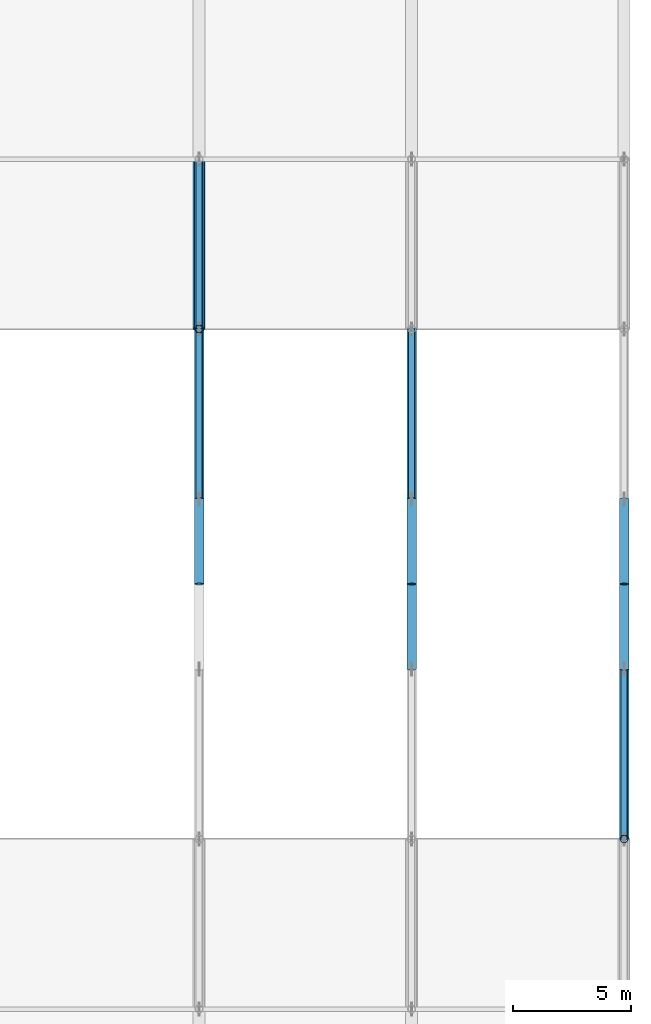
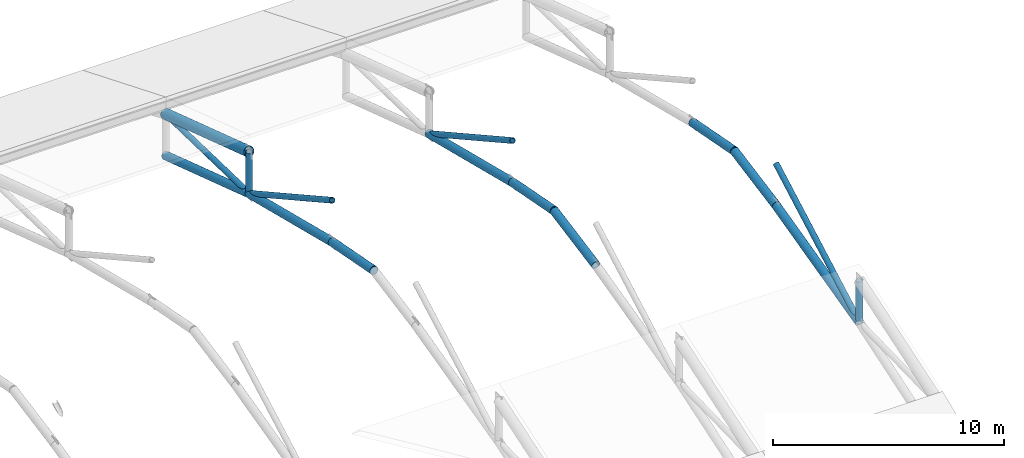
# One storey, part 52 of 78: 16 members.
"""IFC4 building model written with IfcOpenShell, lengths in metres."""

from ifc_helpers import new_model, si_unit, direction, frame, origin, origin_2d, place, context, subcontext, project, spatial, hollow_circle, extrude, material, material_profile, profile_set, type_object, element, save


model = new_model("IFC4")

# Units and contexts
model_context = context("Model", 3, precision=1e-05, world=origin(), true_north=direction((0.0, 1.0)))
body_context = subcontext(model_context, "Body", "Model", "MODEL_VIEW")
ifc_project = project(units=[si_unit("LENGTHUNIT", "METRE"), si_unit("AREAUNIT", "SQUARE_METRE"), si_unit("VOLUMEUNIT", "CUBIC_METRE"), si_unit("PLANEANGLEUNIT", "RADIAN"), si_unit("MASSUNIT", "GRAM", prefix="KILO")], contexts=[model_context])

# Site, building, storey
site_placement = place(None, origin())
site = spatial("IfcSite", under=ifc_project, at=site_placement, CompositionType="ELEMENT")
building_placement = place(site_placement, origin())
building = spatial("IfcBuilding", under=site, at=building_placement, Name="Celestram Park Convention Centre", CompositionType="ELEMENT")
storey_placement = place(building_placement, frame((0.0, 0.0, 19.800048828125)))
storey = spatial("IfcBuildingStorey", under=building, at=storey_placement, Name="L04", CompositionType="ELEMENT", Elevation=19.800048828125)

# Members
ifc_material = material(Name="Steel ASTM A500 Grade C", Category="steel")
ifc_material_profile_1 = material_profile(ifc_material, hollow_circle(Radius=0.136474609375, WallThickness=0.010009765625, at=origin_2d()), Name="CHS273X10")
ifc_profile_set_1 = profile_set([ifc_material_profile_1], Name="Steel ASTM A500 Grade C")
member_type_1 = type_object("IfcMemberType", Name="STR-BRC-CHS273", PredefinedType="BRACE", material=ifc_profile_set_1)
member_1_placement = place(storey_placement, frame((198.0, 144.0, 6.2294921875), z_axis=(0.0, 0.874218793516, -0.485532183344), x_axis=(-1.0, 0.0, 0.0)))
element("IfcMember", 1, at=member_1_placement, inside=storey, type_object=member_type_1, Name="V2 arch web diagonal", PredefinedType="BRACE", context=body_context, shape_type="SweptSolid", body=[
    extrude(hollow_circle(Radius=0.136474609375, WallThickness=0.010009765625, at=origin_2d()), origin(), (0.0, 0.0, 1.0), 8.23583984375),
])
member_2_placement = place(storey_placement, frame((198.0, 151.199951171875, 2.230712890625), z_axis=(0.0, 0.999715192935, -0.023864890842), x_axis=(-1.0, 0.0, 0.0)))
element("IfcMember", 2, at=member_2_placement, inside=storey, type_object=member_type_1, Name="V2 arch web diagonal", PredefinedType="BRACE", context=body_context, shape_type="SweptSolid", body=[
    extrude(hollow_circle(Radius=0.136474609375, WallThickness=0.010009765625, at=origin_2d()), origin(), (0.0, 0.0, 1.0), 7.201904296875),
])
for number, where, z_axis, x_axis, name in (
    (3, (207.0, 144.0, 6.2294921875), (0.0, 0.874218793516, -0.485532183344), (-1.0, 0.0, 0.0), "V2 arch web diagonal"),
    (4, (216.0, 129.60009765625, 2.230712890625), (0.0, 0.874218793516, 0.485532183344), (-1.0, 0.0, 0.0), "V2 arch web diagonal"),
):
    element("IfcMember", number, at=place(storey_placement, frame(where, z_axis=z_axis, x_axis=x_axis)), inside=storey, type_object=member_type_1, Name=name, PredefinedType="BRACE", context=body_context, shape_type="SweptSolid", body=[
        extrude(hollow_circle(Radius=0.136474609375, WallThickness=0.010009765625, at=origin_2d()), origin(), (0.0, 0.0, 1.0), 8.23583984375),
    ])
ifc_material_profile_2 = material_profile(ifc_material, hollow_circle(Radius=0.202880859375, WallThickness=0.013916015625, at=origin_2d()), Name="CHS406X14")
ifc_profile_set_2 = profile_set([ifc_material_profile_2], Name="Steel ASTM A500 Grade C")
member_type_2 = type_object("IfcMemberType", Name="STR-CHD-CHS406", PredefinedType="CHORD", material=ifc_profile_set_2)
member_3_placement = place(storey_placement, frame((198.0, 140.39990234375, 4.7138671875), z_axis=(0.0, 0.982409054746, -0.186741664211), x_axis=(-1.0, 0.0, 0.0)))
element("IfcMember", 5, at=member_3_placement, inside=storey, type_object=member_type_2, Name="V2 arch bottom chord", PredefinedType="CHORD", context=body_context, shape_type="SweptSolid", body=[
    extrude(hollow_circle(Radius=0.202880859375, WallThickness=0.013916015625, at=origin_2d()), origin(), (0.0, 0.0, 1.0), 3.66455078125),
])
member_4_placement = place(storey_placement, frame((198.0, 144.0, 4.029541015625), z_axis=(0.0, 0.970179256757, -0.242388551212), x_axis=(-1.0, 0.0, 0.0)))
element("IfcMember", 6, at=member_4_placement, inside=storey, type_object=member_type_2, Name="V2 arch bottom chord", PredefinedType="CHORD", context=body_context, shape_type="SweptSolid", body=[
    extrude(hollow_circle(Radius=0.202880859375, WallThickness=0.013916015625, at=origin_2d()), origin(), (0.0, 0.0, 1.0), 7.421142578125),
])
member_5_placement = place(storey_placement, frame((198.0, 151.199951171875, 2.230712890625), z_axis=(0.0, 0.949791740943, -0.312882803678), x_axis=(-1.0, 0.0, 0.0)))
element("IfcMember", 7, at=member_5_placement, inside=storey, type_object=member_type_2, Name="V2 arch bottom chord", PredefinedType="CHORD", context=body_context, shape_type="SweptSolid", body=[
    extrude(hollow_circle(Radius=0.202880859375, WallThickness=0.013916015625, at=origin_2d()), origin(), (0.0, 0.0, 1.0), 7.58056640625),
])
member_6_placement = place(storey_placement, frame((207.0, 136.800048828125, 4.029541015625), z_axis=(0.0, 0.982406731244, 0.186753887262), x_axis=(-1.0, 0.0, 0.0)))
element("IfcMember", 8, at=member_6_placement, inside=storey, type_object=member_type_2, Name="V2 arch bottom chord", PredefinedType="CHORD", context=body_context, shape_type="SweptSolid", body=[
    extrude(hollow_circle(Radius=0.202880859375, WallThickness=0.013916015625, at=origin_2d()), origin(), (0.0, 0.0, 1.0), 3.664306640625),
])
member_7_placement = place(storey_placement, frame((207.0, 140.39990234375, 4.7138671875), z_axis=(0.0, 0.982409054746, -0.186741664211), x_axis=(-1.0, 0.0, 0.0)))
element("IfcMember", 9, at=member_7_placement, inside=storey, type_object=member_type_2, Name="V2 arch bottom chord", PredefinedType="CHORD", context=body_context, shape_type="SweptSolid", body=[
    extrude(hollow_circle(Radius=0.202880859375, WallThickness=0.013916015625, at=origin_2d()), origin(), (0.0, 0.0, 1.0), 3.66455078125),
])
for number, where, z_axis, x_axis, name in (
    (10, (207.0, 144.0, 4.029541015625), (0.0, 0.970179256757, -0.242388551212), (-1.0, 0.0, 0.0), "V2 arch bottom chord"),
    (11, (216.0, 129.60009765625, 2.230712890625), (0.0, 0.970179256757, 0.242388551212), (-1.0, 0.0, 0.0), "V2 arch bottom chord"),
):
    element("IfcMember", number, at=place(storey_placement, frame(where, z_axis=z_axis, x_axis=x_axis)), inside=storey, type_object=member_type_2, Name=name, PredefinedType="CHORD", context=body_context, shape_type="SweptSolid", body=[
        extrude(hollow_circle(Radius=0.202880859375, WallThickness=0.013916015625, at=origin_2d()), origin(), (0.0, 0.0, 1.0), 7.421142578125),
    ])
member_8_placement = place(storey_placement, frame((216.0, 136.800048828125, 4.029541015625), z_axis=(0.0, 0.982406731244, 0.186753887262), x_axis=(-1.0, 0.0, 0.0)))
element("IfcMember", 12, at=member_8_placement, inside=storey, type_object=member_type_2, Name="V2 arch bottom chord", PredefinedType="CHORD", context=body_context, shape_type="SweptSolid", body=[
    extrude(hollow_circle(Radius=0.202880859375, WallThickness=0.013916015625, at=origin_2d()), origin(), (0.0, 0.0, 1.0), 3.664306640625),
])
member_9_placement = place(storey_placement, frame((216.0, 140.39990234375, 4.7138671875), z_axis=(0.0, 0.982409054746, -0.186741664211), x_axis=(-1.0, 0.0, 0.0)))
element("IfcMember", 13, at=member_9_placement, inside=storey, type_object=member_type_2, Name="V2 arch bottom chord", PredefinedType="CHORD", context=body_context, shape_type="SweptSolid", body=[
    extrude(hollow_circle(Radius=0.202880859375, WallThickness=0.013916015625, at=origin_2d()), origin(), (0.0, 0.0, 1.0), 3.66455078125),
])
ifc_material_profile_3 = material_profile(ifc_material, hollow_circle(Radius=0.25390625, WallThickness=0.01611328125, at=origin_2d()), Name="CHS508X16")
ifc_profile_set_3 = profile_set([ifc_material_profile_3], Name="Steel ASTM A500 Grade C")
member_type_3 = type_object("IfcMemberType", Name="STR-CHD-CHS508", PredefinedType="CHORD", material=ifc_profile_set_3)
member_10_placement = place(storey_placement, frame((198.0, 151.199951171875, 4.4306640625), z_axis=(0.0, 0.949791740943, -0.312882803678), x_axis=(-1.0, 0.0, 0.0)))
element("IfcMember", 14, at=member_10_placement, inside=storey, type_object=member_type_3, Name="V2 arch top chord", PredefinedType="CHORD", context=body_context, shape_type="SweptSolid", body=[
    extrude(hollow_circle(Radius=0.25390625, WallThickness=0.01611328125, at=origin_2d()), origin(), (0.0, 0.0, 1.0), 7.58056640625),
])
ifc_material_profile_4 = material_profile(ifc_material, hollow_circle(Radius=0.162109375, WallThickness=0.011962890625, at=origin_2d()), Name="CHS324X12")
ifc_profile_set_4 = profile_set([ifc_material_profile_4], Name="Steel ASTM A500 Grade C")
member_type_4 = type_object("IfcMemberType", Name="STR-STR-CHS324", PredefinedType="STRUT", material=ifc_profile_set_4)
for number, where, z_axis, x_axis, name in (
    (15, (198.0, 151.199951171875, 2.230712890625), (0.0, 0.0, 1.0), (1.0, 0.0, 0.0), "V2 arch vertical strut"),
    (16, (216.0, 129.60009765625, 2.230712890625), (0.0, 0.0, 1.0), (1.0, 0.0, 0.0), "V2 arch vertical strut"),
):
    element("IfcMember", number, at=place(storey_placement, frame(where, z_axis=z_axis, x_axis=x_axis)), inside=storey, type_object=member_type_4, Name=name, PredefinedType="STRUT", context=body_context, shape_type="SweptSolid", body=[
        extrude(hollow_circle(Radius=0.162109375, WallThickness=0.011962890625, at=origin_2d()), origin(), (0.0, 0.0, 1.0), 2.199951171875),
    ])

save(model, "model.ifc")
